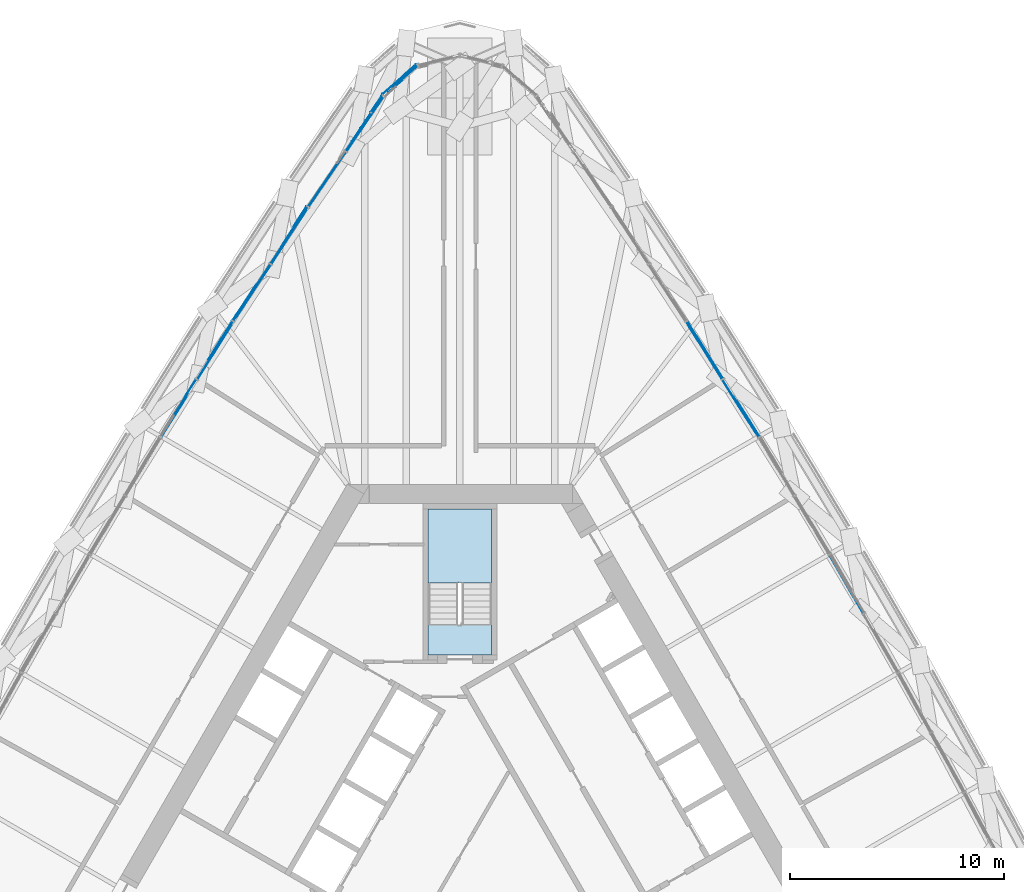
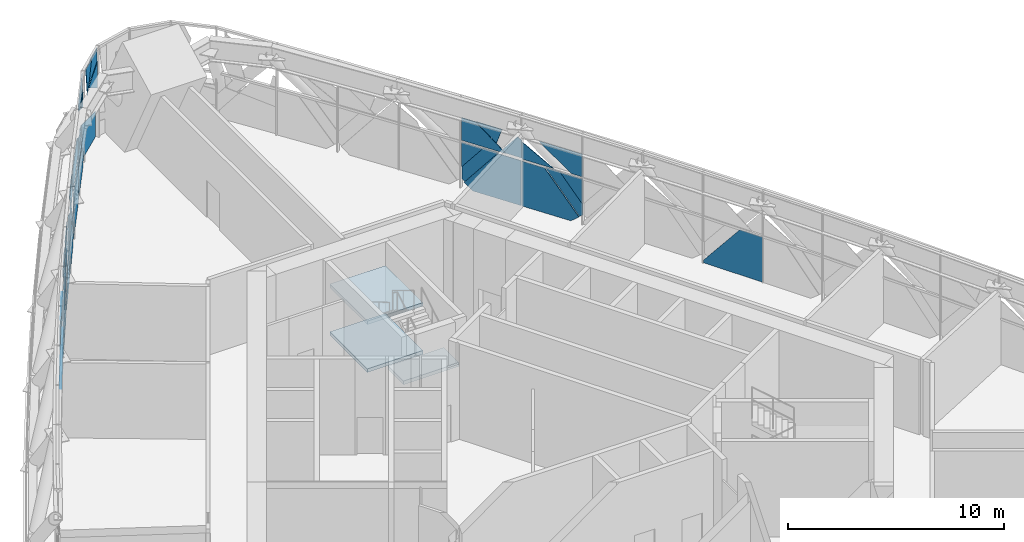
# One storey, part 18 of 43: 45 plates, 3 slabs, 4 elements without a shape of their own.
"""IFC4 building model written with IfcOpenShell, lengths in metres."""

from ifc_helpers import new_model, si_unit, direction, frame, origin, origin_2d, place, context, subcontext, project, spatial, polyline, rectangle, outline, extrude, material, layer, layer_set, type_object, element, aggregate, save


model = new_model("IFC4")

# Units and contexts
model_context = context("Model", 3, precision=1e-05, world=origin(), true_north=direction((0.0, 1.0)))
body_context = subcontext(model_context, "Body", "Model", "MODEL_VIEW")
ifc_project = project(units=[si_unit("LENGTHUNIT", "METRE"), si_unit("AREAUNIT", "SQUARE_METRE"), si_unit("VOLUMEUNIT", "CUBIC_METRE"), si_unit("PLANEANGLEUNIT", "RADIAN"), si_unit("MASSUNIT", "GRAM", prefix="KILO")], contexts=[model_context])

# Site, building, storey
site_placement = place(None, origin())
site = spatial("IfcSite", under=ifc_project, at=site_placement, CompositionType="ELEMENT")
building_placement = place(site_placement, origin())
building = spatial("IfcBuilding", under=site, at=building_placement, Name="Mestral Congress Tower", CompositionType="ELEMENT")
storey_placement = place(building_placement, frame((0.0, 0.0, 78.300048828125)))
storey = spatial("IfcBuildingStorey", under=building, at=storey_placement, Name="L18", CompositionType="ELEMENT", Elevation=78.300048828125)

# Stair, slabs
ifc_material_1 = material(Name="Concrete C60/75", Category="concrete")
stair_type = type_object("IfcStairType", Name="Exit stair 1400", PredefinedType="HALF_TURN_STAIR", material=ifc_material_1)
placement = place(storey_placement, origin())
stair = element("IfcStair", 1, at=placement, inside=storey, type_object=stair_type, Name="L18 ST2", PredefinedType="HALF_TURN_STAIR")
ifc_layer_1 = layer(ifc_material_1, 0.199951171875)
ifc_layer_set_1 = layer_set([ifc_layer_1], Name="Concrete C60/75")
slab_type = type_object("IfcSlabType", Name="Exit stair landing 200", PredefinedType="LANDING", material=ifc_layer_set_1)
slab_1_placement = place(storey_placement, frame((0.0, 0.0, 1.14990234375)))
slab_1 = element("IfcSlab", 2, at=slab_1_placement, type_object=slab_type, Name="ST2 landing 1", PredefinedType="LANDING", context=body_context, shape_type="SweptSolid", body=[
    extrude(outline(polyline([(1.485107421875, 12.300048828125), (-1.485107421875, 12.300048828125), (-1.485107421875, 15.760009765625), (1.485107421875, 15.760009765625), (1.485107421875, 12.300048828125)])), origin(), (0.0, 0.0, 1.0), 0.199951171875),
])
slab_2_placement = place(storey_placement, frame((0.0, 0.0, 2.5)))
slab_2 = element("IfcSlab", 3, at=slab_2_placement, type_object=slab_type, Name="ST2 landing 2", PredefinedType="LANDING", context=body_context, shape_type="SweptSolid", body=[
    extrude(outline(polyline([(1.485107421875, 8.93994140625), (-1.485107421875, 8.93994140625), (-1.485107421875, 10.360107421875), (1.485107421875, 10.360107421875), (1.485107421875, 8.93994140625)])), origin(), (0.0, 0.0, 1.0), 0.199951171875),
])
slab_3_placement = place(storey_placement, frame((0.0, 0.0, 3.849853515625)))
slab_3 = element("IfcSlab", 4, at=slab_3_placement, type_object=slab_type, Name="ST2 landing 3", PredefinedType="LANDING", context=body_context, shape_type="SweptSolid", body=[
    extrude(outline(polyline([(1.485107421875, 12.300048828125), (-1.485107421875, 12.300048828125), (-1.485107421875, 15.760009765625), (1.485107421875, 15.760009765625), (1.485107421875, 12.300048828125)])), origin(), (0.0, 0.0, 1.0), 0.2001953125),
])
aggregate(stair, [slab_1, slab_2, slab_3])

# Curtain wall, plates
ifc_material_2 = material(Name="Clear low-emissivity double glazing", Category="glass")
curtain_wall_type = type_object("IfcCurtainWallType", Name="Facade refuge band screen", PredefinedType="USERDEFINED", material=ifc_material_2)
curtain_wall_1 = element("IfcCurtainWall", 5, at=placement, inside=storey, type_object=curtain_wall_type, Name="Facade refuge band screen face 2", ObjectType="CURTAIN WALL", PredefinedType="USERDEFINED")
ifc_material_3 = material(Name="Anodised aluminium", Category="aluminium")
ifc_layer_2 = layer(ifc_material_3, 0.028076171875)
ifc_layer_set_2 = layer_set([ifc_layer_2], Name="Anodised aluminium")
plate_type_1 = type_object("IfcPlateType", Name="Facade refuge band screen brace cover panel", PredefinedType="CURTAIN_PANEL", material=ifc_layer_set_2)
plate_1_placement = place(storey_placement, frame((12.9443359375, 20.80810546875, 2.5400390625), z_axis=(0.846995810348, 0.531595854898, 0.001986028348), x_axis=(0.338579168989, -0.536573097985, -0.772951134837)))
plate_1 = element("IfcPlate", 6, at=plate_1_placement, type_object=plate_type_1, Name="Facade refuge band screen brace cover panel", PredefinedType="CURTAIN_PANEL", context=body_context, shape_type="SweptSolid", body=[
    extrude(outline(polyline([(0.0, 0.0), (2.8329053689852675, 0.0), (2.832905305522365, -0.19894105553984143), (2.323371311232864, -0.6171455301781359), (0.5066153946023285, -0.6171976741901234), (0.0, 0.0)])), origin(), (0.0, 0.0, -1.0), 0.028076171875),
])
plate_2_placement = place(storey_placement, frame((12.266845703125, 21.77392578125, 2.659912109375), z_axis=(0.846955413615, 0.531659996249, 0.002043462172), x_axis=(0.531661106289, -0.846957181952, 0.0)))
plate_2 = element("IfcPlate", 7, at=plate_2_placement, type_object=plate_type_1, Name="Facade refuge band screen brace cover panel", PredefinedType="CURTAIN_PANEL", context=body_context, shape_type="SweptSolid", body=[
    extrude(outline(polyline([(0.0, 0.0), (1.636141964469123, -2.168404344971009e-19), (-8.149390044268707e-05, -0.9624043531261421), (0.0, 0.0)])), origin(), (0.0, 0.0, -1.0), 0.028076171875),
])
plate_3_placement = place(storey_placement, frame((13.953857421875, 19.13818359375, 3.93798828125), z_axis=(0.846964643954, 0.531645197606, 0.002067789747), x_axis=(-0.531646334445, 0.846966454514, 1.38445e-07)))
plate_3 = element("IfcPlate", 8, at=plate_3_placement, type_object=plate_type_1, Name="Facade refuge band screen brace cover panel", PredefinedType="CURTAIN_PANEL", context=body_context, shape_type="SweptSolid", body=[
    extrude(outline(polyline([(0.0, 0.0), (2.252215375870785, 0.0), (2.15630750094176, -0.1103519980431691), (0.560195460473071, -1.2780788189650316), (-0.000134450561390145, -1.2780786296205462), (0.0, 0.0)])), origin(), (0.0, 0.0, -1.0), 0.028076171875),
])
plate_4_placement = place(storey_placement, frame((10.630859375, 24.5126953125, 0.4775390625), z_axis=(0.847021389156, 0.531555357903, 0.001915149517), x_axis=(0.416107380185, -0.660807094286, -0.624650808289)))
plate_4 = element("IfcPlate", 9, at=plate_4_placement, type_object=plate_type_1, Name="Facade refuge band screen brace cover panel", PredefinedType="CURTAIN_PANEL", context=body_context, shape_type="SweptSolid", body=[
    extrude(outline(polyline([(0.0, 0.0), (0.20089313934954012, 1.3877787807814457e-17), (0.1997307013703189, -2.800943647065633), (-0.4178941949676379, -2.3068996151334322), (-0.41727117360778454, -0.5216023624059226), (0.0, 0.0)])), origin(), (0.0, 0.0, -1.0), 0.028076171875),
])
plate_5_placement = place(storey_placement, frame((10.598388671875, 24.4921875, 2.659912109375), z_axis=(0.8469516088, 0.531665962389, 0.002068039852), x_axis=(0.531667099309, -0.846953419919, -2.959e-09)))
plate_5 = element("IfcPlate", 10, at=plate_5_placement, type_object=plate_type_1, Name="Facade refuge band screen brace cover panel", PredefinedType="CURTAIN_PANEL", context=body_context, shape_type="SweptSolid", body=[
    extrude(outline(polyline([(0.0, 0.0), (2.3253748606901126, 0.0), (0.7380093956829066, -1.2780789070985148), (7.243680058308567e-05, -1.2780788980340505), (0.0, 0.0)])), origin(), (0.0, 0.0, -1.0), 0.028076171875),
])
plate_6_placement = place(storey_placement, frame((11.013916015625, 23.881591796875, 3.93798828125), z_axis=(0.846985241315, 0.531612716076, 0.001980177028), x_axis=(0.415162924514, -0.659117379521, -0.627059826589)))
plate_6 = element("IfcPlate", 11, at=plate_6_placement, type_object=plate_type_1, Name="Facade refuge band screen brace cover panel", PredefinedType="CURTAIN_PANEL", context=body_context, shape_type="SweptSolid", body=[
    extrude(outline(polyline([(0.0, 0.0), (1.3860569408948766, 0.0), (1.0685623204750303, -0.8601791115699657), (0.0, 0.0)])), origin(), (0.0, 0.0, -1.0), 0.028076171875),
])
plate_7_placement = place(storey_placement, frame((12.17041015625, 22.0400390625, 3.784912109375), z_axis=(0.846892096389, 0.531760989212, 0.002006844777), x_axis=(-0.330706223169, 0.529636510637, -0.781100864522)))
plate_7 = element("IfcPlate", 12, at=plate_7_placement, type_object=plate_type_1, Name="Facade refuge band screen brace cover panel", PredefinedType="CURTAIN_PANEL", context=body_context, shape_type="SweptSolid", body=[
    extrude(outline(polyline([(0.0, 0.0), (1.244612527712603, 1.1102230246251565e-16), (1.245399938497861, -0.2437808023103512), (0.7436024574914013, -0.8715085015856103), (-0.035753518497792236, -0.24882797841517934), (0.0, 0.0)])), origin(), (0.0, 0.0, -1.0), 0.028076171875),
])

curtain_wall_2 = element("IfcCurtainWall", 13, at=placement, inside=storey, type_object=curtain_wall_type, Name="Facade refuge band screen face 3", ObjectType="CURTAIN WALL", PredefinedType="USERDEFINED")
plate_8_placement = place(storey_placement, frame((-4.603759765625, 33.566162109375, 2.5400390625), z_axis=(-0.826623677547, 0.562751221885, 0.0020875789), x_axis=(0.346873259579, 0.512435222245, -0.785550179678)))
plate_8 = element("IfcPlate", 14, at=plate_8_placement, type_object=plate_type_1, Name="Facade refuge band screen brace cover panel", PredefinedType="CURTAIN_PANEL", context=body_context, shape_type="SweptSolid", body=[
    extrude(outline(polyline([(0.0, 0.0), (1.3140173042634917, 0.0), (1.9947396973757, -0.6203394541999875), (0.5383716821310982, -0.6203280563868965), (0.4625576596085811, -0.5872099102649294), (0.0, 0.0)])), origin(), (0.0, 0.0, -1.0), 0.028076171875),
])
plate_9_placement = place(storey_placement, frame((-4.478759765625, 33.642578125, 2.659912109375), z_axis=(-0.826664307303, 0.562691721926, 0.0020369358), x_axis=(-0.482256703784, -0.710351090709, 0.512669288707)))
plate_9 = element("IfcPlate", 15, at=plate_9_placement, type_object=plate_type_1, Name="Facade refuge band screen brace cover panel", PredefinedType="CURTAIN_PANEL", context=body_context, shape_type="SweptSolid", body=[
    extrude(outline(polyline([(0.0, 0.0), (1.685799854871377, -1.1102230246251565e-16), (1.242734145358575, -0.7420494882167432), (0.0, 0.0)])), origin(), (0.0, 0.0, -1.0), 0.028076171875),
])
plate_10_placement = place(storey_placement, frame((-3.59423828125, 34.993896484375, 3.129150390625), z_axis=(-0.826822289634, 0.562460499706, 0.0017571666), x_axis=(0.00150920382, -0.000905522292, 0.999998451165)))
plate_10 = element("IfcPlate", 16, at=plate_10_placement, type_object=plate_type_1, Name="Facade refuge band screen brace cover panel", PredefinedType="CURTAIN_PANEL", context=body_context, shape_type="SweptSolid", body=[
    extrude(outline(polyline([(0.0, 0.0), (0.8088391433830474, 9.486769009248164e-20), (0.8087021507120771, -1.367715454291916), (0.0, 0.0)])), origin(), (0.0, 0.0, -1.0), 0.028076171875),
])
plate_11_placement = place(storey_placement, frame((-4.38720703125, 33.87939453125, 3.93798828125), z_axis=(-0.826731943465, 0.562592425694, 0.002014002621), x_axis=(0.562593566988, 0.826733619967, 1.77446e-07)))
plate_11 = element("IfcPlate", 17, at=plate_11_placement, type_object=plate_type_1, Name="Facade refuge band screen brace cover panel", PredefinedType="CURTAIN_PANEL", context=body_context, shape_type="SweptSolid", body=[
    extrude(outline(polyline([(0.0, 0.0), (1.3676509563508803, 0.0), (1.3676034174315141, -1.092043029528758), (-0.44642630362974683, -1.0920434820904303), (-1.1613707144357859, -0.8796408073260181), (-1.1613062613424212, -0.6867694215954909), (0.0, 0.0)])), origin(), (0.0, 0.0, -1.0), 0.028076171875),
])
plate_12_placement = place(storey_placement, frame((-8.144775390625, 28.24609375, 2.5400390625), z_axis=(-0.8370333016, 0.547148663064, 0.001895394312), x_axis=(0.338906716558, 0.521176125711, -0.783273696393)))
plate_12 = element("IfcPlate", 18, at=plate_12_placement, type_object=plate_type_1, Name="Facade refuge band screen brace cover panel", PredefinedType="CURTAIN_PANEL", context=body_context, shape_type="SweptSolid", body=[
    extrude(outline(polyline([(0.0, 0.0), (2.7974414131507945, -2.220446049250313e-16), (2.7974391978868205, -0.19831824027546574), (2.2671746070574565, -0.6188209193128285), (0.4913552479739616, -0.6190791021550148), (0.0, 0.0)])), origin(), (0.0, 0.0, -1.0), 0.028076171875),
])
plate_13_placement = place(storey_placement, frame((-8.273681640625, 28.04736328125, 2.9794921875), z_axis=(-0.836917556946, 0.547324656059, 0.002173417753), x_axis=(-0.468757292546, -0.718818363662, 0.513387534662)))
plate_13 = element("IfcPlate", 19, at=plate_13_placement, type_object=plate_type_1, Name="Facade refuge band screen brace cover panel", PredefinedType="CURTAIN_PANEL", context=body_context, shape_type="SweptSolid", body=[
    extrude(outline(polyline([(0.0, 0.0), (1.1631918553669358, 1.1102230246251565e-16), (0.6924684707412225, -0.786670754597864), (-0.3041770115659635, -0.19043101420702457), (0.0, 0.0)])), origin(), (0.0, 0.0, -1.0), 0.028076171875),
])
plate_14_placement = place(storey_placement, frame((-7.13134765625, 29.8466796875, 3.687744140625), z_axis=(-0.836963199469, 0.547255369862, 0.002040316727), x_axis=(-0.519932404813, -0.796328255425, 0.309081872709)))
plate_14 = element("IfcPlate", 20, at=plate_14_placement, type_object=plate_type_1, Name="Facade refuge band screen brace cover panel", PredefinedType="CURTAIN_PANEL", context=body_context, shape_type="SweptSolid", body=[
    extrude(outline(polyline([(0.0, 0.0), (0.8096375263675546, 0.0), (2.1513342157373607, -0.436046289529534), (1.8753001102912676, -0.6112615806694082), (0.38856503754349975, -1.2070351533454398), (-0.3177677730828787, -0.9774797888424585), (0.0, 0.0)])), origin(), (0.0, 0.0, -1.0), 0.028076171875),
])
plate_15_placement = place(storey_placement, frame((-10.597900390625, 24.56396484375, 0.470703125), z_axis=(-0.836934798724, 0.547299194036, 0.001932586926), x_axis=(0.420466195204, 0.645233064638, -0.637873397304)))
plate_15 = element("IfcPlate", 21, at=plate_15_placement, type_object=plate_type_1, Name="Facade refuge band screen brace cover panel", PredefinedType="CURTAIN_PANEL", context=body_context, shape_type="SweptSolid", body=[
    extrude(outline(polyline([(0.0, 0.0), (0.19519832411302337, -1.3877787807814457e-17), (0.19224132396620863, -2.8461905756952506), (-0.42521440860261284, -2.334777606865784), (-0.4232356596902093, -0.5110815268521746), (0.0, 0.0)])), origin(), (0.0, 0.0, -1.0), 0.028076171875),
])
plate_16_placement = place(storey_placement, frame((-10.563720703125, 24.54150390625, 3.93798828125), z_axis=(-0.836937539984, 0.547294585842, 0.002047064823), x_axis=(-0.00170323534, 0.001135693563, -0.999997904593)))
plate_16 = element("IfcPlate", 22, at=plate_16_placement, type_object=plate_type_1, Name="Facade refuge band screen brace cover panel", PredefinedType="CURTAIN_PANEL", context=body_context, shape_type="SweptSolid", body=[
    extrude(outline(polyline([(0.0, 0.0), (1.27807889985876, -4.404571325722362e-20), (1.2781149966826542, -1.9716601127446434), (8.114220708325731e-06, -0.43987745280794316), (0.0, 0.0)])), origin(), (0.0, 0.0, -1.0), 0.028076171875),
])
plate_17_placement = place(storey_placement, frame((-10.347900390625, 24.926025390625, 3.93798828125), z_axis=(-0.837027417197, 0.547157322692, 0.001991754091), x_axis=(0.419068480654, 0.643412348883, -0.640626379278)))
plate_17 = element("IfcPlate", 23, at=plate_17_placement, type_object=plate_type_1, Name="Facade refuge band screen brace cover panel", PredefinedType="CURTAIN_PANEL", context=body_context, shape_type="SweptSolid", body=[
    extrude(outline(polyline([(0.0, 0.0), (1.6650116591002382, -1.1102230246251565e-16), (1.2772626761620198, -1.0656352000300389), (0.0, 0.0)])), origin(), (0.0, 0.0, -1.0), 0.028076171875),
])
plate_18_placement = place(storey_placement, frame((-8.853271484375, 27.162109375, 2.659912109375), z_axis=(-0.836923357126, 0.547316812097, 0.001897759655), x_axis=(0.001461942437, -0.001231868636, 0.99999817261)))
plate_18 = element("IfcPlate", 24, at=plate_18_placement, type_object=plate_type_1, Name="Facade refuge band screen brace cover panel", PredefinedType="CURTAIN_PANEL", context=body_context, shape_type="SweptSolid", body=[
    extrude(outline(polyline([(0.0, 0.0), (0.9526386231746243, 8.131516293641283e-20), (1.059613368366869, -0.17813470907818862), (0.00024350665800081757, -1.054189038085717), (0.0, 0.0)])), origin(), (0.0, 0.0, -1.0), 0.028076171875),
])
plate_19_placement = place(storey_placement, frame((-11.611572265625, 22.87841796875, 2.5400390625), z_axis=(-0.846969886893, 0.531637132896, 0.001992391366), x_axis=(0.330598218382, 0.529615214372, -0.781161022266)))
plate_19 = element("IfcPlate", 25, at=plate_19_placement, type_object=plate_type_1, Name="Facade refuge band screen brace cover panel", PredefinedType="CURTAIN_PANEL", context=body_context, shape_type="SweptSolid", body=[
    extrude(outline(polyline([(0.0, 0.0), (2.8009438882810116, 0.0), (2.8007312141222807, -0.20073173886401552), (2.2790850236297264, -0.6179477860859597), (0.4936583654972304, -0.6176685058755629), (0.0, 0.0)])), origin(), (0.0, 0.0, -1.0), 0.028076171875),
])
plate_20_placement = place(storey_placement, frame((-12.236572265625, 21.825927734375, 2.659912109375), z_axis=(-0.846968624787, 0.531638813265, 0.002078667257), x_axis=(0.531639961836, 0.846970454608, 0.0)))
plate_20 = element("IfcPlate", 26, at=plate_20_placement, type_object=plate_type_1, Name="Facade refuge band screen brace cover panel", PredefinedType="CURTAIN_PANEL", context=body_context, shape_type="SweptSolid", body=[
    extrude(outline(polyline([(0.0, 0.0), (1.6839660976252468, -4.336808689942018e-19), (-0.00012533509281885077, -1.0085471007715394), (0.0, 0.0)])), origin(), (0.0, 0.0, -1.0), 0.028076171875),
])
plate_21_placement = place(storey_placement, frame((-10.62158203125, 24.506591796875, 3.93798828125), z_axis=(-0.846979061081, 0.531622844738, 0.001902903965), x_axis=(-0.531623807535, -0.846980594384, -1.73635e-07)))
plate_21 = element("IfcPlate", 27, at=plate_21_placement, type_object=plate_type_1, Name="Facade refuge band screen brace cover panel", PredefinedType="CURTAIN_PANEL", context=body_context, shape_type="SweptSolid", body=[
    extrude(outline(polyline([(0.0, 0.0), (2.1259521758945796, 4.336808689942018e-19), (1.868872206154363, -0.2802739618689083), (0.53621570049347, -1.2780783580545645), (-7.235359362590539e-05, -1.278078881162228), (0.0, 0.0)])), origin(), (0.0, 0.0, -1.0), 0.028076171875),
])
plate_22_placement = place(storey_placement, frame((-13.9326171875, 19.124755859375, 0.4765625), z_axis=(-0.846995810348, 0.531595854898, 0.001986028348), x_axis=(0.409831861927, 0.655358629469, -0.634462695302)))
plate_22 = element("IfcPlate", 28, at=plate_22_placement, type_object=plate_type_1, Name="Facade refuge band screen brace cover panel", PredefinedType="CURTAIN_PANEL", context=body_context, shape_type="SweptSolid", body=[
    extrude(outline(polyline([(0.0, 0.0), (0.19894105553985164, 0.0), (0.1989401518329954, -2.8329053689851236), (-0.41825736074498954, -2.3262897774945746), (-0.4182046371814237, -0.5095338608807656), (0.0, 0.0)])), origin(), (0.0, 0.0, -1.0), 0.028076171875),
])
plate_23_placement = place(storey_placement, frame((-13.95556640625, 19.13916015625, 3.93798828125), z_axis=(-0.846958190932, 0.531656005195, 0.001927421752), x_axis=(-0.001602301634, 0.001072753189, -0.999998140913)))
plate_23 = element("IfcPlate", 29, at=plate_23_placement, type_object=plate_type_1, Name="Facade refuge band screen brace cover panel", PredefinedType="CURTAIN_PANEL", context=body_context, shape_type="SweptSolid", body=[
    extrude(outline(polyline([(0.0, 0.0), (1.2780788879187013, -2.439454888092385e-19), (1.278212944482262, -2.370145644957906), (4.670505086941618e-05, -0.8176695049991882), (0.0, 0.0)])), origin(), (0.0, 0.0, -1.0), 0.028076171875),
])
plate_24_placement = place(storey_placement, frame((-13.49560546875, 19.815673828125, 3.93798828125), z_axis=(-0.84690709187, 0.531737179189, 0.001987462734), x_axis=(0.409493209235, 0.654582213716, -0.635482050948)))
plate_24 = element("IfcPlate", 30, at=plate_24_placement, type_object=plate_type_1, Name="Facade refuge band screen brace cover panel", PredefinedType="CURTAIN_PANEL", context=body_context, shape_type="SweptSolid", body=[
    extrude(outline(polyline([(0.0, 0.0), (1.367687134047011, -1.1102230246251565e-16), (1.0514656338338262, -0.8654011338710069), (0.0, 0.0)])), origin(), (0.0, 0.0, -1.0), 0.028076171875),
])
plate_25_placement = place(storey_placement, frame((-12.722900390625, 21.163818359375, 2.659912109375), z_axis=(-0.847023435128, 0.531551941147, 0.001958113174), x_axis=(0.531552960213, 0.84702505895, 1.3806e-08)))
plate_25 = element("IfcPlate", 31, at=plate_25_placement, type_object=plate_type_1, Name="Facade refuge band screen brace cover panel", PredefinedType="CURTAIN_PANEL", context=body_context, shape_type="SweptSolid", body=[
    extrude(outline(polyline([(0.0, 0.0), (0.7592092403578325, -1.0842021724855044e-19), (0.7592904975714332, -1.0444354423775002), (0.6177077136363632, -1.129152789837565), (-0.18438690580713696, -0.1518554368145106), (0.0, 0.0)])), origin(), (0.0, 0.0, -1.0), 0.028076171875),
])

curtain_wall_3 = element("IfcCurtainWall", 32, at=placement, inside=storey, type_object=curtain_wall_type, Name="Facade refuge band screen corner 2", ObjectType="CURTAIN WALL", PredefinedType="USERDEFINED")
plate_26_placement = place(storey_placement, frame((-2.051513671875, 36.49951171875, 0.0), z_axis=(-0.66169970074, 0.749766533219, 0.001910943799), x_axis=(0.001174955491, -0.001511767396, 0.999998167018)))
plate_26 = element("IfcPlate", 33, at=plate_26_placement, type_object=plate_type_1, Name="Facade refuge band screen brace cover panel", PredefinedType="CURTAIN_PANEL", context=body_context, shape_type="SweptSolid", body=[
    extrude(outline(polyline([(0.0, 0.0), (1.4455593206804982, -2.710505431213761e-19), (2.003427077869906, -2.0903736141726412), (0.00024962397717940383, -2.090504692595199), (0.0, 0.0)])), origin(), (0.0, 0.0, -1.0), 0.028076171875),
])
plate_27_placement = place(storey_placement, frame((-2.702392578125, 35.74609375, 5.030029296875), z_axis=(-0.661465148283, 0.749973112298, 0.002046567257), x_axis=(-0.74997468291, -0.66146653354, 0.0)))
plate_27 = element("IfcPlate", 34, at=plate_27_placement, type_object=plate_type_1, Name="Facade refuge band screen brace cover panel", PredefinedType="CURTAIN_PANEL", context=body_context, shape_type="SweptSolid", body=[
    extrude(outline(polyline([(0.0, 0.0), (0.8330359325604321, 1.0842021724855044e-19), (0.549747562179576, -1.665042549467011), (0.0, 0.0)])), origin(), (0.0, 0.0, -1.0), 0.028076171875),
])
plate_28_placement = place(storey_placement, frame((-3.106689453125, 35.473388671875, 3.56591796875), z_axis=(-0.661580180927, 0.749872220023, 0.001821494674), x_axis=(0.671891691318, 0.591699189501, 0.445481339992)))
plate_28 = element("IfcPlate", 35, at=plate_28_placement, type_object=plate_type_1, Name="Facade refuge band screen brace cover panel", PredefinedType="CURTAIN_PANEL", context=body_context, shape_type="SweptSolid", body=[
    extrude(outline(polyline([(0.0, 0.0), (1.641921807301921, 1.1102230246251565e-16), (1.9682251226420635, -0.6559932264238721), (1.0852241786628256, -1.095360285664651), (0.0, 0.0)])), origin(), (0.0, 0.0, -1.0), 0.028076171875),
])
plate_29_placement = place(storey_placement, frame((-2.97412109375, 35.55029296875, 3.640869140625), z_axis=(-0.661610737714, 0.749844465278, 0.002123589786), x_axis=(0.620859304642, 0.549386864928, -0.559202822314)))
plate_29 = element("IfcPlate", 36, at=plate_29_placement, type_object=plate_type_1, Name="Facade refuge band screen brace cover panel", PredefinedType="CURTAIN_PANEL", context=body_context, shape_type="SweptSolid", body=[
    extrude(outline(polyline([(0.0, 0.0), (1.5917958265429832, -1.1102230246251565e-16), (0.7269384011853732, -1.2822244099281381), (0.0, 0.0)])), origin(), (0.0, 0.0, -1.0), 0.028076171875),
])
aggregate(curtain_wall_3, [plate_26, plate_27, plate_28, plate_29])

# Plate
ifc_layer_3 = layer(ifc_material_2, 0.028076171875)
ifc_layer_set_3 = layer_set([ifc_layer_3], Name="Clear low-emissivity double glazing")
plate_type_2 = type_object("IfcPlateType", Name="Facade refuge band screen panel", PredefinedType="CURTAIN_PANEL", material=ifc_layer_set_3)
plate_30_placement = place(storey_placement, frame((18.820556640625, 10.900634765625, 2.5400390625), z_axis=(0.866017754369, 0.500009229649, 0.002004840251), x_axis=(-0.500010234326, 0.866019494913, -1.09827e-07)))
plate_30 = element("IfcPlate", 37, at=plate_30_placement, type_object=plate_type_2, Name="Refuge screen glass unit", PredefinedType="CURTAIN_PANEL", context=body_context, shape_type="SweptSolid", body=[
    extrude(outline(polyline([(0.0, 0.0), (1.201749583371608, 0.0), (3.129282977729756, -2.3796430987423047), (3.129372353075733, -2.540043835622693), (0.00012870431380469284, -2.5400442798056075), (0.0, 0.0)])), origin(), (0.0, 0.0, -1.0), 0.028076171875),
])

plate_31_placement = place(storey_placement, frame((13.956298828125, 19.1396484375, 2.5400390625), z_axis=(0.846983862392, 0.531615277471, 0.001879789017), x_axis=(-0.531616216733, 0.84698535885, 0.0)))
plate_31 = element("IfcPlate", 38, at=plate_31_placement, type_object=plate_type_2, Name="Refuge screen glass unit", PredefinedType="CURTAIN_PANEL", context=body_context, shape_type="SweptSolid", body=[
    extrude(outline(polyline([(0.0, 0.0), (1.1526980356546679, -1.0842021724855044e-19), (7.25991705339551e-05, -1.404299356123033), (0.0, 0.0)])), origin(), (0.0, 0.0, -1.0), 0.028076171875),
])

plate_32_placement = place(storey_placement, frame((12.26708984375, 21.774169921875, 2.5400390625), z_axis=(0.846957553582, 0.53165679202, 0.001989454533), x_axis=(0.001670761931, 0.001080370204, -0.999998020675)))
plate_32 = element("IfcPlate", 39, at=plate_32_placement, type_object=plate_type_2, Name="Refuge screen glass unit", PredefinedType="CURTAIN_PANEL", context=body_context, shape_type="SweptSolid", body=[
    extrude(outline(polyline([(0.0, 0.0), (2.5400438706377733, -3.5236570605778894e-19), (2.5399759424482133, -2.5488394038259004), (2.189621803685594, -2.975804482881722), (-3.1586493858488506e-05, -1.1783699602831161), (0.0, 0.0)])), origin(), (0.0, 0.0, -1.0), 0.028076171875),
])

plate_33_placement = place(storey_placement, frame((10.601806640625, 24.494384765625, 2.5400390625), z_axis=(0.846899692879, 0.531748759842, 0.002041227151), x_axis=(0.001750696631, 0.001050417979, -0.99999791584)))
plate_33 = element("IfcPlate", 40, at=plate_33_placement, type_object=plate_type_2, Name="Refuge screen glass unit", PredefinedType="CURTAIN_PANEL", context=body_context, shape_type="SweptSolid", body=[
    extrude(outline(polyline([(0.0, 0.0), (1.394534156432983, 2.1006417091906648e-19), (4.6075463101042345e-05, -1.1147599145149076), (0.0, 0.0)])), origin(), (0.0, 0.0, -1.0), 0.028076171875),
])

plate_34_placement = place(storey_placement, frame((10.8984375, 23.97509765625, 0.0), z_axis=(0.846956131359, 0.531659106969, 0.001976241434), x_axis=(0.531660145084, -0.846957785329, 5.5797e-08)))
plate_34 = element("IfcPlate", 41, at=plate_34_placement, type_object=plate_type_2, Name="Refuge screen glass unit", PredefinedType="CURTAIN_PANEL", context=body_context, shape_type="SweptSolid", body=[
    extrude(outline(polyline([(0.0, 0.0), (2.5317071797831874, 4.336808689942018e-19), (2.531775269062711, -2.5400438709608233), (1.3080911661891523, -2.5400440575347725), (-0.4406156048115541, -0.3520515312337449), (0.0, 0.0)])), origin(), (0.0, 0.0, -1.0), 0.028076171875),
])

aggregate(curtain_wall_1, [plate_30, plate_31, plate_32, plate_1, plate_2, plate_3, plate_33, plate_34, plate_4, plate_5, plate_6, plate_7])

plate_35_placement = place(storey_placement, frame((-5.297607421875, 32.448974609375, 0.0), z_axis=(-0.826703290933, 0.562634795003, 0.001938094894), x_axis=(0.562635851826, 0.826704843484, 8.2775e-08)))
plate_35 = element("IfcPlate", 42, at=plate_35_placement, type_object=plate_type_2, Name="Refuge screen glass unit", PredefinedType="CURTAIN_PANEL", context=body_context, shape_type="SweptSolid", body=[
    extrude(outline(polyline([(0.0, 0.0), (2.6068456667979776, -4.336808689942018e-19), (3.0437522707510785, -0.3439946741582546), (2.1271083664793085, -1.5078151921573517), (0.00017120562429202377, -1.860843563857505), (0.0, 0.0)])), origin(), (0.0, 0.0, -1.0), 0.028076171875),
])

plate_36_placement = place(storey_placement, frame((-4.123046875, 34.22265625, 1.5078125), z_axis=(-0.826737358328, 0.56258470492, 0.001946826879), x_axis=(-0.346861523424, -0.512443205822, 0.785550153953)))
plate_36 = element("IfcPlate", 43, at=plate_36_placement, type_object=plate_type_2, Name="Refuge screen glass unit", PredefinedType="CURTAIN_PANEL", context=body_context, shape_type="SweptSolid", body=[
    extrude(outline(polyline([(0.0, 0.0), (1.3140173039064957, 0.0), (2.127168905184611, -1.0322826956106372), (1.593462153469329, -1.452366720639123), (0.0, 0.0)])), origin(), (0.0, 0.0, -1.0), 0.028076171875),
])

plate_37_placement = place(storey_placement, frame((-3.661865234375, 35.0078125, 1.35693359375), z_axis=(-0.826636545768, 0.562732241142, 0.002108549338), x_axis=(0.554970429649, 0.815843575455, -0.162502561842)))
plate_37 = element("IfcPlate", 44, at=plate_37_placement, type_object=plate_type_2, Name="Refuge screen glass unit", PredefinedType="CURTAIN_PANEL", context=body_context, shape_type="SweptSolid", body=[
    extrude(outline(polyline([(0.0, 0.0), (0.027040804331610626, 0.0), (-0.07910165156992816, -0.6441466490746547), (-1.0753345892269652, -0.982358274273651), (0.0, 0.0)])), origin(), (0.0, 0.0, -1.0), 0.028076171875),
])

plate_38_placement = place(storey_placement, frame((-6.1787109375, 31.123779296875, 0.0), z_axis=(0.0, 0.0, 1.0), x_axis=(-0.562614480153, -0.826719388137, 0.0)))
plate_38 = element("IfcPlate", 45, at=plate_38_placement, type_object=plate_type_2, Name="Refuge screen glass unit", PredefinedType="CURTAIN_PANEL", context=body_context, shape_type="SweptSolid", body=[
    extrude(rectangle(XDim=3.062255859375, YDim=0.028076171875, at=origin_2d()), origin(), (0.0, 0.0, 1.0), 2.5400390625),
])

plate_39_placement = place(storey_placement, frame((-5.3515625, 32.413330078125, 2.659912109375), z_axis=(-0.826716510253, 0.562615259256, 0.001970209667), x_axis=(0.001639313274, -0.001093035576, 0.999998058961)))
plate_39 = element("IfcPlate", 46, at=plate_39_placement, type_object=plate_type_2, Name="Refuge screen glass unit", PredefinedType="CURTAIN_PANEL", context=body_context, shape_type="SweptSolid", body=[
    extrude(outline(polyline([(0.0, 0.0), (0.8999040657595663, -1.9312351197398048e-19), (1.2780669713432364, -0.6334777194751783), (1.278021400518353, -3.062501847066916), (-5.709347067227701e-05, -3.0623658298009167), (0.0, 0.0)])), origin(), (0.0, 0.0, -1.0), 0.028076171875),
])

plate_40_placement = place(storey_placement, frame((-8.795654296875, 27.196044921875, 2.5400390625), z_axis=(-0.836964850279, 0.54725290828, 0.002023308094), x_axis=(-0.001698526945, 0.001099485435, -0.999997953067)))
plate_40 = element("IfcPlate", 47, at=plate_40_placement, type_object=plate_type_2, Name="Refuge screen glass unit", PredefinedType="CURTAIN_PANEL", context=body_context, shape_type="SweptSolid", body=[
    extrude(outline(polyline([(0.0, 0.0), (2.5400438654799573, -4.2012834183813297e-19), (2.5400207201826044, -2.534714250887269), (2.191138763646112, -2.974242663500586), (-1.171869525825155e-05, -1.2351227622626826), (0.0, 0.0)])), origin(), (0.0, 0.0, -1.0), 0.028076171875),
])

plate_41_placement = place(storey_placement, frame((-7.158447265625, 29.864501953125, 2.5400390625), z_axis=(-0.837049910445, 0.547123243974, 0.001898243008), x_axis=(-0.547124229709, -0.837051418532, 0.0)))
plate_41 = element("IfcPlate", 48, at=plate_41_placement, type_object=plate_type_2, Name="Refuge screen glass unit", PredefinedType="CURTAIN_PANEL", context=body_context, shape_type="SweptSolid", body=[
    extrude(outline(polyline([(0.0, 0.0), (1.1039611727151364, 0.0), (-2.3972276321263393e-05, -1.3911157875744602), (0.0, 0.0)])), origin(), (0.0, 0.0, -1.0), 0.028076171875),
])

plate_42_placement = place(storey_placement, frame((-10.5693359375, 24.545166015625, 2.5400390625), z_axis=(-0.836993896994, 0.547208663764, 0.001973498736), x_axis=(-0.001563039659, 0.001215697512, -0.999998039491)))
plate_42 = element("IfcPlate", 49, at=plate_42_placement, type_object=plate_type_2, Name="Refuge screen glass unit", PredefinedType="CURTAIN_PANEL", context=body_context, shape_type="SweptSolid", body=[
    extrude(outline(polyline([(0.0, 0.0), (1.4057644747633848, 4.0657581468206416e-19), (0.0001884687305611461, -1.1617888809529724), (0.0, 0.0)])), origin(), (0.0, 0.0, -1.0), 0.028076171875),
])

plate_43_placement = place(storey_placement, frame((-10.23681640625, 25.00830078125, 0.0), z_axis=(-0.836985520266, 0.547221259383, 0.00203276753), x_axis=(0.547222390054, 0.836987249499, 4.0546e-08)))
plate_43 = element("IfcPlate", 50, at=plate_43_placement, type_object=plate_type_2, Name="Refuge screen glass unit", PredefinedType="CURTAIN_PANEL", context=body_context, shape_type="SweptSolid", body=[
    extrude(outline(polyline([(0.0, 0.0), (2.55990287493443, 0.0), (2.559722053517684, -2.5400441349890293), (1.3942079100073566, -2.5400444254111427), (-0.4190270963783522, -0.34619202250447423), (0.0, 0.0)])), origin(), (0.0, 0.0, -1.0), 0.028076171875),
])

plate_44_placement = place(storey_placement, frame((-10.623779296875, 24.50830078125, 2.5400390625), z_axis=(-0.846899692879, 0.531748759842, 0.002041227151), x_axis=(-0.53174986764, -0.846901457234, 0.0)))
plate_44 = element("IfcPlate", 51, at=plate_44_placement, type_object=plate_type_2, Name="Refuge screen glass unit", PredefinedType="CURTAIN_PANEL", context=body_context, shape_type="SweptSolid", body=[
    extrude(outline(polyline([(0.0, 0.0), (1.1147599154671075, 2.168404344971009e-19), (5.7639143798014527e-05, -1.3945341552418073), (0.0, 0.0)])), origin(), (0.0, 0.0, -1.0), 0.028076171875),
])

plate_45_placement = place(storey_placement, frame((-12.23681640625, 21.825927734375, 2.5400390625), z_axis=(-0.846946728806, 0.531673966154, 0.002008053506), x_axis=(-0.001713683481, 0.001046977798, -0.999997983561)))
plate_45 = element("IfcPlate", 52, at=plate_45_placement, type_object=plate_type_2, Name="Refuge screen glass unit", PredefinedType="CURTAIN_PANEL", context=body_context, shape_type="SweptSolid", body=[
    extrude(outline(polyline([(0.0, 0.0), (2.540044283210183, -6.776263578034403e-20), (2.539982358231448, -2.5318369808536625), (2.187920377340742, -2.9726508068968958), (-2.9918389557960414e-05, -1.223684103371206), (0.0, 0.0)])), origin(), (0.0, 0.0, -1.0), 0.028076171875),
])

aggregate(curtain_wall_2, [plate_35, plate_36, plate_37, plate_8, plate_9, plate_10, plate_11, plate_38, plate_39, plate_40, plate_41, plate_12, plate_13, plate_14, plate_42, plate_43, plate_15, plate_16, plate_17, plate_18, plate_44, plate_45, plate_19, plate_20, plate_21, plate_22, plate_23, plate_24, plate_25])

save(model, "model.ifc")
